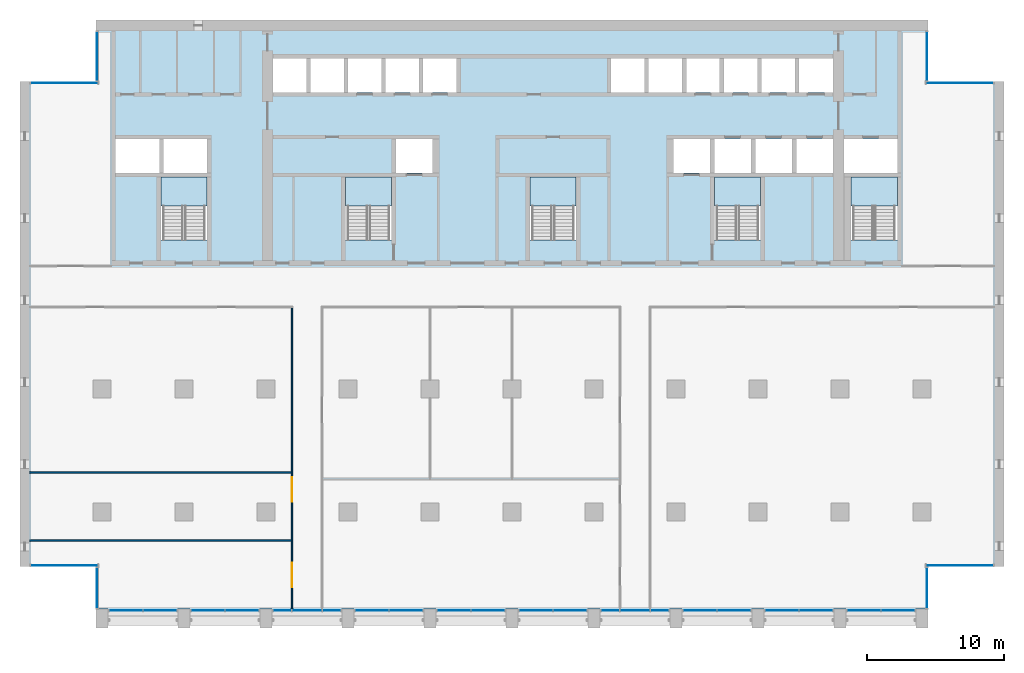
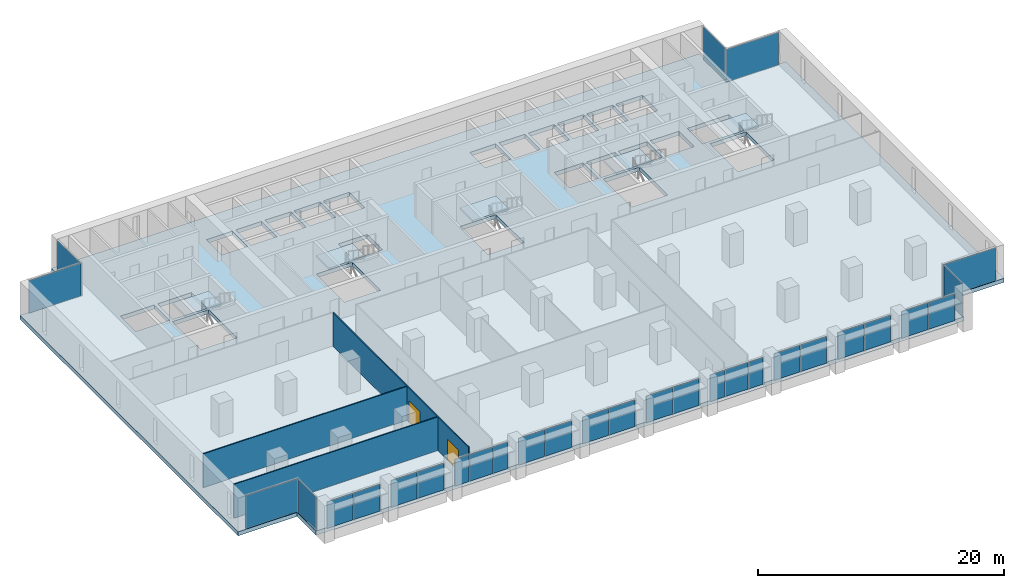
# One storey, part 7 of 15: 30 plates, 6 slabs, 3 walls, 2 doors, 2 openings, 23 elements without a shape of their own.
"""IFC4 building model written with IfcOpenShell, lengths in metres."""

from ifc_helpers import new_model, si_unit, direction, frame, frame_2d, origin, origin_2d, place, context, subcontext, project, spatial, polyline, rectangle, outline, extrude, material, layer, layer_set, type_object, element, fill, aggregate, save


model = new_model("IFC4")

# Units and contexts
model_context = context("Model", 3, precision=1e-05, world=origin(), true_north=direction((0.0, 1.0)))
body_context = subcontext(model_context, "Body", "Model", "MODEL_VIEW")
ifc_project = project(units=[si_unit("LENGTHUNIT", "METRE"), si_unit("AREAUNIT", "SQUARE_METRE"), si_unit("VOLUMEUNIT", "CUBIC_METRE"), si_unit("PLANEANGLEUNIT", "RADIAN"), si_unit("MASSUNIT", "GRAM", prefix="KILO")], contexts=[model_context])

# Site, building, storey
site_placement = place(None, origin())
site = spatial("IfcSite", under=ifc_project, at=site_placement, CompositionType="ELEMENT")
building_placement = place(site_placement, origin())
building = spatial("IfcBuilding", under=site, at=building_placement, Name="Calvaro Tower", CompositionType="ELEMENT")
storey_placement = place(building_placement, frame((0.0, 0.0, 125.0)))
storey = spatial("IfcBuildingStorey", under=building, at=storey_placement, Name="L31", CompositionType="ELEMENT", Elevation=125.0)

# Slab
ifc_material_1 = material(Name="Concrete C40/50", Category="concrete")
ifc_layer_1 = layer(ifc_material_1, 0.39990234375)
ifc_layer_set_1 = layer_set([ifc_layer_1], Name="Concrete C40/50")
slab_type_1 = type_object("IfcSlabType", Name="Floor slab 400 C40/50", PredefinedType="FLOOR", material=ifc_layer_set_1)
slab_1_placement = place(storey_placement, frame((0.0, 0.0, -0.39990234375)))
element("IfcSlab", 1, at=slab_1_placement, inside=storey, type_object=slab_type_1, Name="Floor slab", PredefinedType="FLOOR", context=body_context, shape_type="SweptSolid", body=[
    extrude(outline(polyline([(66.449951171875, 6.0), (66.449951171875, 2.89990234375), (5.550048828125, 2.89990234375), (5.550048828125, 6.0), (0.0, 6.0), (0.0, 41.5), (5.550048828125, 41.5), (5.550048828125, 46.0), (66.449951171875, 46.0), (66.449951171875, 41.5), (72.0, 41.5), (72.0, 6.0), (66.449951171875, 6.0)]), holes=[polyline([(10.300048828125, 29.909912109375), (10.300048828125, 34.5), (12.0, 34.5), (13.699951171875, 34.5), (13.699951171875, 29.909912109375), (12.0, 29.909912109375), (10.300048828125, 29.909912109375)]), polyline([(23.800048828125, 29.909912109375), (23.800048828125, 34.5), (25.5, 34.5), (27.199951171875, 34.5), (27.199951171875, 29.909912109375), (25.5, 29.909912109375), (23.800048828125, 29.909912109375)]), polyline([(37.300048828125, 29.909912109375), (37.300048828125, 34.5), (39.0, 34.5), (40.699951171875, 34.5), (40.699951171875, 29.909912109375), (39.0, 29.909912109375), (37.300048828125, 29.909912109375)]), polyline([(50.800048828125, 29.909912109375), (50.800048828125, 34.5), (52.5, 34.5), (54.199951171875, 34.5), (54.199951171875, 29.909912109375), (52.5, 29.909912109375), (50.800048828125, 29.909912109375)]), polyline([(60.800048828125, 29.909912109375), (60.800048828125, 34.5), (62.5, 34.5), (64.199951171875, 34.5), (64.199951171875, 29.909912109375), (62.5, 29.909912109375), (60.800048828125, 29.909912109375)]), polyline([(50.800048828125, 34.800048828125), (53.5, 34.800048828125), (53.5, 37.300048828125), (50.800048828125, 37.300048828125), (50.800048828125, 34.800048828125)]), polyline([(53.800048828125, 34.800048828125), (56.5, 34.800048828125), (56.5, 37.300048828125), (53.800048828125, 37.300048828125), (53.800048828125, 34.800048828125)]), polyline([(56.800048828125, 34.800048828125), (59.5, 34.800048828125), (59.5, 37.300048828125), (56.800048828125, 37.300048828125), (56.800048828125, 34.800048828125)]), polyline([(18.5, 40.699951171875), (20.949951171875, 40.699951171875), (20.949951171875, 43.199951171875), (18.5, 43.199951171875), (18.5, 40.699951171875)]), polyline([(21.25, 40.699951171875), (23.699951171875, 40.699951171875), (23.699951171875, 43.199951171875), (21.25, 43.199951171875), (21.25, 40.699951171875)]), polyline([(24.0, 40.699951171875), (26.449951171875, 40.699951171875), (26.449951171875, 43.199951171875), (24.0, 43.199951171875), (24.0, 40.699951171875)]), polyline([(26.75, 40.699951171875), (29.199951171875, 40.699951171875), (29.199951171875, 43.199951171875), (26.75, 43.199951171875), (26.75, 40.699951171875)]), polyline([(29.5, 40.699951171875), (31.949951171875, 40.699951171875), (31.949951171875, 43.199951171875), (29.5, 43.199951171875), (29.5, 40.699951171875)]), polyline([(43.25, 40.699951171875), (45.699951171875, 40.699951171875), (45.699951171875, 43.199951171875), (43.25, 43.199951171875), (43.25, 40.699951171875)]), polyline([(46.0, 40.699951171875), (48.449951171875, 40.699951171875), (48.449951171875, 43.199951171875), (46.0, 43.199951171875), (46.0, 40.699951171875)]), polyline([(48.75, 40.699951171875), (51.199951171875, 40.699951171875), (51.199951171875, 43.199951171875), (48.75, 43.199951171875), (48.75, 40.699951171875)]), polyline([(51.5, 40.699951171875), (53.949951171875, 40.699951171875), (53.949951171875, 43.199951171875), (51.5, 43.199951171875), (51.5, 40.699951171875)]), polyline([(54.25, 40.699951171875), (56.699951171875, 40.699951171875), (56.699951171875, 43.199951171875), (54.25, 43.199951171875), (54.25, 40.699951171875)]), polyline([(57.0, 40.699951171875), (59.5, 40.699951171875), (59.5, 43.199951171875), (57.0, 43.199951171875), (57.0, 40.699951171875)]), polyline([(7.0, 34.800048828125), (10.199951171875, 34.800048828125), (10.199951171875, 37.300048828125), (7.0, 37.300048828125), (7.0, 34.800048828125)]), polyline([(10.5, 34.800048828125), (13.699951171875, 34.800048828125), (13.699951171875, 37.300048828125), (10.5, 37.300048828125), (10.5, 34.800048828125)]), polyline([(60.300048828125, 34.800048828125), (64.199951171875, 34.800048828125), (64.199951171875, 37.300048828125), (60.300048828125, 37.300048828125), (60.300048828125, 34.800048828125)]), polyline([(27.5, 34.800048828125), (30.199951171875, 34.800048828125), (30.199951171875, 37.300048828125), (27.5, 37.300048828125), (27.5, 34.800048828125)]), polyline([(47.800048828125, 34.800048828125), (50.5, 34.800048828125), (50.5, 37.300048828125), (47.800048828125, 37.300048828125), (47.800048828125, 34.800048828125)])]), origin(), (0.0, 0.0, 1.0), 0.39990234375),
])

# Curtain wall, plates
ifc_material_2 = material(Name="Anodised aluminium", Category="aluminium")
curtain_wall_type = type_object("IfcCurtainWallType", Name="Office curtain wall, middle zone", PredefinedType="NOTDEFINED", material=ifc_material_2)
curtain_wall_1_placement = place(storey_placement, origin())
curtain_wall_1 = element("IfcCurtainWall", 2, at=curtain_wall_1_placement, inside=storey, type_object=curtain_wall_type, Name="CW2 south curtain wall", PredefinedType="NOTDEFINED")
ifc_material_3 = material(Name="Glass", Category="glass")
ifc_layer_2 = layer(ifc_material_3, 0.031982421875)
ifc_layer_set_2 = layer_set([ifc_layer_2], Name="Glass")
plate_type = type_object("IfcPlateType", Name="Glass panel S2 32", PredefinedType="CURTAIN_PANEL", material=ifc_layer_set_2)
plate_1_placement = place(storey_placement, frame((7.742431640625, 2.800048828125, 0.0), z_axis=(0.0, 0.0, 1.0), x_axis=(1.0, 0.0, 0.0)))
plate_1 = element("IfcPlate", 3, at=plate_1_placement, type_object=plate_type, Name="CW2 glass panel 1.1", PredefinedType="CURTAIN_PANEL", context=body_context, shape_type="SweptSolid", body=[
    extrude(rectangle(XDim=2.445068359375, YDim=0.031982421875, at=origin_2d()), origin(), (0.0, 0.0, 1.0), 2.64990234375),
])
plate_2_placement = place(storey_placement, frame((10.257568359375, 2.800048828125, 0.0), z_axis=(0.0, 0.0, 1.0), x_axis=(1.0, 0.0, 0.0)))
plate_2 = element("IfcPlate", 4, at=plate_2_placement, type_object=plate_type, Name="CW2 glass panel 2.1", PredefinedType="CURTAIN_PANEL", context=body_context, shape_type="SweptSolid", body=[
    extrude(rectangle(XDim=2.445068359375, YDim=0.031982421875, at=origin_2d()), origin(), (0.0, 0.0, 1.0), 2.64990234375),
])
aggregate(curtain_wall_1, [plate_1, plate_2])

curtain_wall_2_placement = place(storey_placement, origin())
curtain_wall_2 = element("IfcCurtainWall", 5, at=curtain_wall_2_placement, inside=storey, type_object=curtain_wall_type, Name="CW2 south curtain wall", PredefinedType="NOTDEFINED")
plate_3_placement = place(storey_placement, frame((13.742431640625, 2.800048828125, 0.0), z_axis=(0.0, 0.0, 1.0), x_axis=(1.0, 0.0, 0.0)))
plate_3 = element("IfcPlate", 6, at=plate_3_placement, type_object=plate_type, Name="CW2 glass panel 1.1", PredefinedType="CURTAIN_PANEL", context=body_context, shape_type="SweptSolid", body=[
    extrude(rectangle(XDim=2.445068359375, YDim=0.031982421875, at=origin_2d()), origin(), (0.0, 0.0, 1.0), 2.64990234375),
])
plate_4_placement = place(storey_placement, frame((16.257568359375, 2.800048828125, 0.0), z_axis=(0.0, 0.0, 1.0), x_axis=(1.0, 0.0, 0.0)))
plate_4 = element("IfcPlate", 7, at=plate_4_placement, type_object=plate_type, Name="CW2 glass panel 2.1", PredefinedType="CURTAIN_PANEL", context=body_context, shape_type="SweptSolid", body=[
    extrude(rectangle(XDim=2.445068359375, YDim=0.031982421875, at=origin_2d()), origin(), (0.0, 0.0, 1.0), 2.64990234375),
])
aggregate(curtain_wall_2, [plate_3, plate_4])

curtain_wall_3_placement = place(storey_placement, origin())
curtain_wall_3 = element("IfcCurtainWall", 8, at=curtain_wall_3_placement, inside=storey, type_object=curtain_wall_type, Name="CW2 south curtain wall", PredefinedType="NOTDEFINED")
plate_5_placement = place(storey_placement, frame((19.1923828125, 2.800048828125, 0.0), z_axis=(0.0, 0.0, 1.0), x_axis=(1.0, 0.0, 0.0)))
plate_5 = element("IfcPlate", 9, at=plate_5_placement, type_object=plate_type, Name="CW2 glass panel 1.1", PredefinedType="CURTAIN_PANEL", context=body_context, shape_type="SweptSolid", body=[
    extrude(rectangle(XDim=1.344970703125, YDim=0.031982421875, at=origin_2d()), origin(), (0.0, 0.0, 1.0), 2.64990234375),
])
plate_6_placement = place(storey_placement, frame((21.0, 2.800048828125, 0.0), z_axis=(0.0, 0.0, 1.0), x_axis=(1.0, 0.0, 0.0)))
plate_6 = element("IfcPlate", 10, at=plate_6_placement, type_object=plate_type, Name="CW2 glass panel 2.1", PredefinedType="CURTAIN_PANEL", context=body_context, shape_type="SweptSolid", body=[
    extrude(rectangle(XDim=2.1298828125, YDim=0.031982421875, at=origin_2d()), origin(), (0.0, 0.0, 1.0), 2.64990234375),
])
plate_7_placement = place(storey_placement, frame((22.8076171875, 2.800048828125, 0.0), z_axis=(0.0, 0.0, 1.0), x_axis=(1.0, 0.0, 0.0)))
plate_7 = element("IfcPlate", 11, at=plate_7_placement, type_object=plate_type, Name="CW2 glass panel 3.1", PredefinedType="CURTAIN_PANEL", context=body_context, shape_type="SweptSolid", body=[
    extrude(rectangle(XDim=1.344970703125, YDim=0.031982421875, at=origin_2d()), origin(), (0.0, 0.0, 1.0), 2.64990234375),
])
aggregate(curtain_wall_3, [plate_5, plate_6, plate_7])

curtain_wall_4_placement = place(storey_placement, origin())
curtain_wall_4 = element("IfcCurtainWall", 12, at=curtain_wall_4_placement, inside=storey, type_object=curtain_wall_type, Name="CW2 south curtain wall", PredefinedType="NOTDEFINED")
plate_8_placement = place(storey_placement, frame((25.742431640625, 2.800048828125, 0.0), z_axis=(0.0, 0.0, 1.0), x_axis=(1.0, 0.0, 0.0)))
plate_8 = element("IfcPlate", 13, at=plate_8_placement, type_object=plate_type, Name="CW2 glass panel 1.1", PredefinedType="CURTAIN_PANEL", context=body_context, shape_type="SweptSolid", body=[
    extrude(rectangle(XDim=2.445068359375, YDim=0.031982421875, at=origin_2d()), origin(), (0.0, 0.0, 1.0), 2.64990234375),
])
plate_9_placement = place(storey_placement, frame((28.257568359375, 2.800048828125, 0.0), z_axis=(0.0, 0.0, 1.0), x_axis=(1.0, 0.0, 0.0)))
plate_9 = element("IfcPlate", 14, at=plate_9_placement, type_object=plate_type, Name="CW2 glass panel 2.1", PredefinedType="CURTAIN_PANEL", context=body_context, shape_type="SweptSolid", body=[
    extrude(rectangle(XDim=2.445068359375, YDim=0.031982421875, at=origin_2d()), origin(), (0.0, 0.0, 1.0), 2.64990234375),
])
aggregate(curtain_wall_4, [plate_8, plate_9])

curtain_wall_5_placement = place(storey_placement, origin())
curtain_wall_5 = element("IfcCurtainWall", 15, at=curtain_wall_5_placement, inside=storey, type_object=curtain_wall_type, Name="CW2 south curtain wall", PredefinedType="NOTDEFINED")
plate_10_placement = place(storey_placement, frame((31.742431640625, 2.800048828125, 0.0), z_axis=(0.0, 0.0, 1.0), x_axis=(1.0, 0.0, 0.0)))
plate_10 = element("IfcPlate", 16, at=plate_10_placement, type_object=plate_type, Name="CW2 glass panel 1.1", PredefinedType="CURTAIN_PANEL", context=body_context, shape_type="SweptSolid", body=[
    extrude(rectangle(XDim=2.445068359375, YDim=0.031982421875, at=origin_2d()), origin(), (0.0, 0.0, 1.0), 2.64990234375),
])
plate_11_placement = place(storey_placement, frame((34.257568359375, 2.800048828125, 0.0), z_axis=(0.0, 0.0, 1.0), x_axis=(1.0, 0.0, 0.0)))
plate_11 = element("IfcPlate", 17, at=plate_11_placement, type_object=plate_type, Name="CW2 glass panel 2.1", PredefinedType="CURTAIN_PANEL", context=body_context, shape_type="SweptSolid", body=[
    extrude(rectangle(XDim=2.445068359375, YDim=0.031982421875, at=origin_2d()), origin(), (0.0, 0.0, 1.0), 2.64990234375),
])
aggregate(curtain_wall_5, [plate_10, plate_11])

curtain_wall_6_placement = place(storey_placement, origin())
curtain_wall_6 = element("IfcCurtainWall", 18, at=curtain_wall_6_placement, inside=storey, type_object=curtain_wall_type, Name="CW2 south curtain wall", PredefinedType="NOTDEFINED")
plate_12_placement = place(storey_placement, frame((37.742431640625, 2.800048828125, 0.0), z_axis=(0.0, 0.0, 1.0), x_axis=(1.0, 0.0, 0.0)))
plate_12 = element("IfcPlate", 19, at=plate_12_placement, type_object=plate_type, Name="CW2 glass panel 1.1", PredefinedType="CURTAIN_PANEL", context=body_context, shape_type="SweptSolid", body=[
    extrude(rectangle(XDim=2.445068359375, YDim=0.031982421875, at=origin_2d()), origin(), (0.0, 0.0, 1.0), 2.64990234375),
])
plate_13_placement = place(storey_placement, frame((40.257568359375, 2.800048828125, 0.0), z_axis=(0.0, 0.0, 1.0), x_axis=(1.0, 0.0, 0.0)))
plate_13 = element("IfcPlate", 20, at=plate_13_placement, type_object=plate_type, Name="CW2 glass panel 2.1", PredefinedType="CURTAIN_PANEL", context=body_context, shape_type="SweptSolid", body=[
    extrude(rectangle(XDim=2.445068359375, YDim=0.031982421875, at=origin_2d()), origin(), (0.0, 0.0, 1.0), 2.64990234375),
])
aggregate(curtain_wall_6, [plate_12, plate_13])

curtain_wall_7_placement = place(storey_placement, origin())
curtain_wall_7 = element("IfcCurtainWall", 21, at=curtain_wall_7_placement, inside=storey, type_object=curtain_wall_type, Name="CW2 south curtain wall", PredefinedType="NOTDEFINED")
plate_14_placement = place(storey_placement, frame((43.1923828125, 2.800048828125, 0.0), z_axis=(0.0, 0.0, 1.0), x_axis=(1.0, 0.0, 0.0)))
plate_14 = element("IfcPlate", 22, at=plate_14_placement, type_object=plate_type, Name="CW2 glass panel 1.1", PredefinedType="CURTAIN_PANEL", context=body_context, shape_type="SweptSolid", body=[
    extrude(rectangle(XDim=1.344970703125, YDim=0.031982421875, at=origin_2d()), origin(), (0.0, 0.0, 1.0), 2.64990234375),
])
plate_15_placement = place(storey_placement, frame((45.0, 2.800048828125, 0.0), z_axis=(0.0, 0.0, 1.0), x_axis=(1.0, 0.0, 0.0)))
plate_15 = element("IfcPlate", 23, at=plate_15_placement, type_object=plate_type, Name="CW2 glass panel 2.1", PredefinedType="CURTAIN_PANEL", context=body_context, shape_type="SweptSolid", body=[
    extrude(rectangle(XDim=2.1298828125, YDim=0.031982421875, at=origin_2d()), origin(), (0.0, 0.0, 1.0), 2.64990234375),
])
plate_16_placement = place(storey_placement, frame((46.8076171875, 2.800048828125, 0.0), z_axis=(0.0, 0.0, 1.0), x_axis=(1.0, 0.0, 0.0)))
plate_16 = element("IfcPlate", 24, at=plate_16_placement, type_object=plate_type, Name="CW2 glass panel 3.1", PredefinedType="CURTAIN_PANEL", context=body_context, shape_type="SweptSolid", body=[
    extrude(rectangle(XDim=1.344970703125, YDim=0.031982421875, at=origin_2d()), origin(), (0.0, 0.0, 1.0), 2.64990234375),
])
aggregate(curtain_wall_7, [plate_14, plate_15, plate_16])

curtain_wall_8_placement = place(storey_placement, origin())
curtain_wall_8 = element("IfcCurtainWall", 25, at=curtain_wall_8_placement, inside=storey, type_object=curtain_wall_type, Name="CW2 south curtain wall", PredefinedType="NOTDEFINED")
plate_17_placement = place(storey_placement, frame((49.742431640625, 2.800048828125, 0.0), z_axis=(0.0, 0.0, 1.0), x_axis=(1.0, 0.0, 0.0)))
plate_17 = element("IfcPlate", 26, at=plate_17_placement, type_object=plate_type, Name="CW2 glass panel 1.1", PredefinedType="CURTAIN_PANEL", context=body_context, shape_type="SweptSolid", body=[
    extrude(rectangle(XDim=2.445068359375, YDim=0.031982421875, at=origin_2d()), origin(), (0.0, 0.0, 1.0), 2.64990234375),
])
plate_18_placement = place(storey_placement, frame((52.257568359375, 2.800048828125, 0.0), z_axis=(0.0, 0.0, 1.0), x_axis=(1.0, 0.0, 0.0)))
plate_18 = element("IfcPlate", 27, at=plate_18_placement, type_object=plate_type, Name="CW2 glass panel 2.1", PredefinedType="CURTAIN_PANEL", context=body_context, shape_type="SweptSolid", body=[
    extrude(rectangle(XDim=2.445068359375, YDim=0.031982421875, at=origin_2d()), origin(), (0.0, 0.0, 1.0), 2.64990234375),
])
aggregate(curtain_wall_8, [plate_17, plate_18])

curtain_wall_9_placement = place(storey_placement, origin())
curtain_wall_9 = element("IfcCurtainWall", 28, at=curtain_wall_9_placement, inside=storey, type_object=curtain_wall_type, Name="CW2 south curtain wall", PredefinedType="NOTDEFINED")
plate_19_placement = place(storey_placement, frame((55.742431640625, 2.800048828125, 0.0), z_axis=(0.0, 0.0, 1.0), x_axis=(1.0, 0.0, 0.0)))
plate_19 = element("IfcPlate", 29, at=plate_19_placement, type_object=plate_type, Name="CW2 glass panel 1.1", PredefinedType="CURTAIN_PANEL", context=body_context, shape_type="SweptSolid", body=[
    extrude(rectangle(XDim=2.445068359375, YDim=0.031982421875, at=origin_2d()), origin(), (0.0, 0.0, 1.0), 2.64990234375),
])
plate_20_placement = place(storey_placement, frame((58.257568359375, 2.800048828125, 0.0), z_axis=(0.0, 0.0, 1.0), x_axis=(1.0, 0.0, 0.0)))
plate_20 = element("IfcPlate", 30, at=plate_20_placement, type_object=plate_type, Name="CW2 glass panel 2.1", PredefinedType="CURTAIN_PANEL", context=body_context, shape_type="SweptSolid", body=[
    extrude(rectangle(XDim=2.445068359375, YDim=0.031982421875, at=origin_2d()), origin(), (0.0, 0.0, 1.0), 2.64990234375),
])
aggregate(curtain_wall_9, [plate_19, plate_20])

curtain_wall_10_placement = place(storey_placement, origin())
curtain_wall_10 = element("IfcCurtainWall", 31, at=curtain_wall_10_placement, inside=storey, type_object=curtain_wall_type, Name="CW2 south curtain wall", PredefinedType="NOTDEFINED")
plate_21_placement = place(storey_placement, frame((61.742431640625, 2.800048828125, 0.0), z_axis=(0.0, 0.0, 1.0), x_axis=(1.0, 0.0, 0.0)))
plate_21 = element("IfcPlate", 32, at=plate_21_placement, type_object=plate_type, Name="CW2 glass panel 1.1", PredefinedType="CURTAIN_PANEL", context=body_context, shape_type="SweptSolid", body=[
    extrude(rectangle(XDim=2.445068359375, YDim=0.031982421875, at=origin_2d()), origin(), (0.0, 0.0, 1.0), 2.64990234375),
])
plate_22_placement = place(storey_placement, frame((64.257568359375, 2.800048828125, 0.0), z_axis=(0.0, 0.0, 1.0), x_axis=(1.0, 0.0, 0.0)))
plate_22 = element("IfcPlate", 33, at=plate_22_placement, type_object=plate_type, Name="CW2 glass panel 2.1", PredefinedType="CURTAIN_PANEL", context=body_context, shape_type="SweptSolid", body=[
    extrude(rectangle(XDim=2.445068359375, YDim=0.031982421875, at=origin_2d()), origin(), (0.0, 0.0, 1.0), 2.64990234375),
])
aggregate(curtain_wall_10, [plate_21, plate_22])

# Curtain wall, plate
curtain_wall_11_placement = place(storey_placement, origin())
curtain_wall_11 = element("IfcCurtainWall", 34, at=curtain_wall_11_placement, inside=storey, type_object=curtain_wall_type, Name="CW2 corner curtain wall", PredefinedType="NOTDEFINED")
plate_23_placement = place(storey_placement, frame((5.64990234375, 4.449951171875, 0.0), z_axis=(0.0, 0.0, 1.0), x_axis=(0.0, 1.0, 0.0)))
plate_23 = element("IfcPlate", 35, at=plate_23_placement, type_object=plate_type, Name="CW2 glass panel 1.1", PredefinedType="CURTAIN_PANEL", context=body_context, shape_type="SweptSolid", body=[
    extrude(rectangle(XDim=2.9599609375, YDim=0.031982421875, at=origin_2d()), origin(), (0.0, 0.0, 1.0), 3.25),
])
aggregate(curtain_wall_11, [plate_23])

curtain_wall_12_placement = place(storey_placement, origin())
curtain_wall_12 = element("IfcCurtainWall", 36, at=curtain_wall_12_placement, inside=storey, type_object=curtain_wall_type, Name="CW2 corner curtain wall", PredefinedType="NOTDEFINED")
plate_24_placement = place(storey_placement, frame((3.22509765625, 6.10009765625, 0.0), z_axis=(0.0, 0.0, 1.0), x_axis=(1.0, 0.0, 0.0)))
plate_24 = element("IfcPlate", 37, at=plate_24_placement, type_object=plate_type, Name="CW2 glass panel 1.1", PredefinedType="CURTAIN_PANEL", context=body_context, shape_type="SweptSolid", body=[
    extrude(rectangle(XDim=4.909912109375, YDim=0.031982421875, at=origin_2d()), origin(), (0.0, 0.0, 1.0), 3.25),
])
aggregate(curtain_wall_12, [plate_24])

curtain_wall_13_placement = place(storey_placement, origin())
curtain_wall_13 = element("IfcCurtainWall", 38, at=curtain_wall_13_placement, inside=storey, type_object=curtain_wall_type, Name="CW2 corner curtain wall", PredefinedType="NOTDEFINED")
plate_25_placement = place(storey_placement, frame((5.64990234375, 43.35009765625, 0.0), z_axis=(0.0, 0.0, 1.0), x_axis=(0.0, 1.0, 0.0)))
plate_25 = element("IfcPlate", 39, at=plate_25_placement, type_object=plate_type, Name="CW2 glass panel 1.1", PredefinedType="CURTAIN_PANEL", context=body_context, shape_type="SweptSolid", body=[
    extrude(rectangle(XDim=3.56005859375, YDim=0.031982421875, at=origin_2d()), origin(), (0.0, 0.0, 1.0), 3.25),
])
aggregate(curtain_wall_13, [plate_25])

curtain_wall_14_placement = place(storey_placement, origin())
curtain_wall_14 = element("IfcCurtainWall", 40, at=curtain_wall_14_placement, inside=storey, type_object=curtain_wall_type, Name="CW2 corner curtain wall", PredefinedType="NOTDEFINED")
plate_26_placement = place(storey_placement, frame((3.22509765625, 41.39990234375, 0.0), z_axis=(0.0, 0.0, 1.0), x_axis=(1.0, 0.0, 0.0)))
plate_26 = element("IfcPlate", 41, at=plate_26_placement, type_object=plate_type, Name="CW2 glass panel 1.1", PredefinedType="CURTAIN_PANEL", context=body_context, shape_type="SweptSolid", body=[
    extrude(rectangle(XDim=4.909912109375, YDim=0.031982421875, at=origin_2d()), origin(), (0.0, 0.0, 1.0), 3.25),
])
aggregate(curtain_wall_14, [plate_26])

curtain_wall_15_placement = place(storey_placement, origin())
curtain_wall_15 = element("IfcCurtainWall", 42, at=curtain_wall_15_placement, inside=storey, type_object=curtain_wall_type, Name="CW2 corner curtain wall", PredefinedType="NOTDEFINED")
plate_27_placement = place(storey_placement, frame((66.35009765625, 4.449951171875, 0.0), z_axis=(0.0, 0.0, 1.0), x_axis=(0.0, 1.0, 0.0)))
plate_27 = element("IfcPlate", 43, at=plate_27_placement, type_object=plate_type, Name="CW2 glass panel 1.1", PredefinedType="CURTAIN_PANEL", context=body_context, shape_type="SweptSolid", body=[
    extrude(rectangle(XDim=2.9599609375, YDim=0.031982421875, at=origin_2d()), origin(), (0.0, 0.0, 1.0), 3.25),
])
aggregate(curtain_wall_15, [plate_27])

curtain_wall_16_placement = place(storey_placement, origin())
curtain_wall_16 = element("IfcCurtainWall", 44, at=curtain_wall_16_placement, inside=storey, type_object=curtain_wall_type, Name="CW2 corner curtain wall", PredefinedType="NOTDEFINED")
plate_28_placement = place(storey_placement, frame((68.77490234375, 6.10009765625, 0.0), z_axis=(0.0, 0.0, 1.0), x_axis=(1.0, 0.0, 0.0)))
plate_28 = element("IfcPlate", 45, at=plate_28_placement, type_object=plate_type, Name="CW2 glass panel 1.1", PredefinedType="CURTAIN_PANEL", context=body_context, shape_type="SweptSolid", body=[
    extrude(rectangle(XDim=4.909912109375, YDim=0.031982421875, at=origin_2d()), origin(), (0.0, 0.0, 1.0), 3.25),
])
aggregate(curtain_wall_16, [plate_28])

curtain_wall_17_placement = place(storey_placement, origin())
curtain_wall_17 = element("IfcCurtainWall", 46, at=curtain_wall_17_placement, inside=storey, type_object=curtain_wall_type, Name="CW2 corner curtain wall", PredefinedType="NOTDEFINED")
plate_29_placement = place(storey_placement, frame((66.35009765625, 43.35009765625, 0.0), z_axis=(0.0, 0.0, 1.0), x_axis=(0.0, 1.0, 0.0)))
plate_29 = element("IfcPlate", 47, at=plate_29_placement, type_object=plate_type, Name="CW2 glass panel 1.1", PredefinedType="CURTAIN_PANEL", context=body_context, shape_type="SweptSolid", body=[
    extrude(rectangle(XDim=3.56005859375, YDim=0.031982421875, at=origin_2d()), origin(), (0.0, 0.0, 1.0), 3.25),
])
aggregate(curtain_wall_17, [plate_29])

curtain_wall_18_placement = place(storey_placement, origin())
curtain_wall_18 = element("IfcCurtainWall", 48, at=curtain_wall_18_placement, inside=storey, type_object=curtain_wall_type, Name="CW2 corner curtain wall", PredefinedType="NOTDEFINED")
plate_30_placement = place(storey_placement, frame((68.77490234375, 41.39990234375, 0.0), z_axis=(0.0, 0.0, 1.0), x_axis=(1.0, 0.0, 0.0)))
plate_30 = element("IfcPlate", 49, at=plate_30_placement, type_object=plate_type, Name="CW2 glass panel 1.1", PredefinedType="CURTAIN_PANEL", context=body_context, shape_type="SweptSolid", body=[
    extrude(rectangle(XDim=4.909912109375, YDim=0.031982421875, at=origin_2d()), origin(), (0.0, 0.0, 1.0), 3.25),
])
aggregate(curtain_wall_18, [plate_30])

# Stair, slab
ifc_material_4 = material(Name="Concrete C40/50", Category="concrete")
stair_type = type_object("IfcStairType", Name="Exit stair 1400 2 flights", PredefinedType="HALF_TURN_STAIR", material=ifc_material_4)
stair_1_placement = place(storey_placement, origin())
stair_1 = element("IfcStair", 50, at=stair_1_placement, inside=storey, type_object=stair_type, Name="Exit stair S1", PredefinedType="HALF_TURN_STAIR")
ifc_material_5 = material(Name="Concrete C40/50", Category="concrete")
ifc_layer_3 = layer(ifc_material_5, 0.199951171875)
ifc_layer_set_3 = layer_set([ifc_layer_3], Name="Concrete C40/50")
slab_type_2 = type_object("IfcSlabType", Name="Stair landing", PredefinedType="LANDING", material=ifc_layer_set_3)
slab_2_placement = place(storey_placement, frame((0.0, 0.0, 1.675048828125)))
slab_2 = element("IfcSlab", 51, at=slab_2_placement, type_object=slab_type_2, Name="Exit stair 1, landing 1", PredefinedType="LANDING", context=body_context, shape_type="SweptSolid", body=[
    extrude(outline(polyline([(11.89990234375, 32.389892578125), (10.5, 32.389892578125), (10.5, 32.39990234375), (10.300048828125, 32.39990234375), (10.300048828125, 34.5), (10.5, 34.5), (11.89990234375, 34.5), (12.10009765625, 34.5), (13.5, 34.5), (13.699951171875, 34.5), (13.699951171875, 32.39990234375), (13.5, 32.39990234375), (13.5, 32.389892578125), (12.10009765625, 32.389892578125), (12.10009765625, 32.39990234375), (11.89990234375, 32.39990234375), (11.89990234375, 32.389892578125)])), origin(), (0.0, 0.0, 1.0), 0.199951171875),
])
aggregate(stair_1, [slab_2])

stair_2_placement = place(storey_placement, origin())
stair_2 = element("IfcStair", 52, at=stair_2_placement, inside=storey, type_object=stair_type, Name="Exit stair S2", PredefinedType="HALF_TURN_STAIR")
slab_3_placement = place(storey_placement, frame((0.0, 0.0, 1.675048828125)))
slab_3 = element("IfcSlab", 53, at=slab_3_placement, type_object=slab_type_2, Name="Exit stair 2, landing 1", PredefinedType="LANDING", context=body_context, shape_type="SweptSolid", body=[
    extrude(outline(polyline([(25.39990234375, 32.389892578125), (24.0, 32.389892578125), (24.0, 32.39990234375), (23.800048828125, 32.39990234375), (23.800048828125, 34.5), (24.0, 34.5), (25.39990234375, 34.5), (25.60009765625, 34.5), (27.0, 34.5), (27.199951171875, 34.5), (27.199951171875, 32.39990234375), (27.0, 32.39990234375), (27.0, 32.389892578125), (25.60009765625, 32.389892578125), (25.60009765625, 32.39990234375), (25.39990234375, 32.39990234375), (25.39990234375, 32.389892578125)])), origin(), (0.0, 0.0, 1.0), 0.199951171875),
])
aggregate(stair_2, [slab_3])

stair_3_placement = place(storey_placement, origin())
stair_3 = element("IfcStair", 54, at=stair_3_placement, inside=storey, type_object=stair_type, Name="Exit stair S3", PredefinedType="HALF_TURN_STAIR")
slab_4_placement = place(storey_placement, frame((0.0, 0.0, 1.675048828125)))
slab_4 = element("IfcSlab", 55, at=slab_4_placement, type_object=slab_type_2, Name="Exit stair 3, landing 1", PredefinedType="LANDING", context=body_context, shape_type="SweptSolid", body=[
    extrude(outline(polyline([(38.89990234375, 32.389892578125), (37.5, 32.389892578125), (37.5, 32.39990234375), (37.300048828125, 32.39990234375), (37.300048828125, 34.5), (37.5, 34.5), (38.89990234375, 34.5), (39.10009765625, 34.5), (40.5, 34.5), (40.699951171875, 34.5), (40.699951171875, 32.39990234375), (40.5, 32.39990234375), (40.5, 32.389892578125), (39.10009765625, 32.389892578125), (39.10009765625, 32.39990234375), (38.89990234375, 32.39990234375), (38.89990234375, 32.389892578125)])), origin(), (0.0, 0.0, 1.0), 0.199951171875),
])
aggregate(stair_3, [slab_4])

stair_4_placement = place(storey_placement, origin())
stair_4 = element("IfcStair", 56, at=stair_4_placement, inside=storey, type_object=stair_type, Name="Exit stair S4", PredefinedType="HALF_TURN_STAIR")
slab_5_placement = place(storey_placement, frame((0.0, 0.0, 1.675048828125)))
slab_5 = element("IfcSlab", 57, at=slab_5_placement, type_object=slab_type_2, Name="Exit stair 4, landing 1", PredefinedType="LANDING", context=body_context, shape_type="SweptSolid", body=[
    extrude(outline(polyline([(52.39990234375, 32.389892578125), (51.0, 32.389892578125), (51.0, 32.39990234375), (50.800048828125, 32.39990234375), (50.800048828125, 34.5), (51.0, 34.5), (52.39990234375, 34.5), (52.60009765625, 34.5), (54.0, 34.5), (54.199951171875, 34.5), (54.199951171875, 32.39990234375), (54.0, 32.39990234375), (54.0, 32.389892578125), (52.60009765625, 32.389892578125), (52.60009765625, 32.39990234375), (52.39990234375, 32.39990234375), (52.39990234375, 32.389892578125)])), origin(), (0.0, 0.0, 1.0), 0.199951171875),
])
aggregate(stair_4, [slab_5])

stair_5_placement = place(storey_placement, origin())
stair_5 = element("IfcStair", 58, at=stair_5_placement, inside=storey, type_object=stair_type, Name="Exit stair S5", PredefinedType="HALF_TURN_STAIR")
slab_6_placement = place(storey_placement, frame((0.0, 0.0, 1.675048828125)))
slab_6 = element("IfcSlab", 59, at=slab_6_placement, type_object=slab_type_2, Name="Exit stair 5, landing 1", PredefinedType="LANDING", context=body_context, shape_type="SweptSolid", body=[
    extrude(outline(polyline([(62.39990234375, 32.389892578125), (61.0, 32.389892578125), (61.0, 32.39990234375), (60.800048828125, 32.39990234375), (60.800048828125, 34.5), (61.0, 34.5), (62.39990234375, 34.5), (62.60009765625, 34.5), (64.0, 34.5), (64.199951171875, 34.5), (64.199951171875, 32.39990234375), (64.0, 32.39990234375), (64.0, 32.389892578125), (62.60009765625, 32.389892578125), (62.60009765625, 32.39990234375), (62.39990234375, 32.39990234375), (62.39990234375, 32.389892578125)])), origin(), (0.0, 0.0, 1.0), 0.199951171875),
])
aggregate(stair_5, [slab_6])

# Walls
ifc_material_6 = material(Name="Plasterboard on steel studs", Category="steel")
ifc_layer_4 = layer(ifc_material_6, 0.10009765625)
ifc_layer_set_4 = layer_set([ifc_layer_4], Name="Plasterboard on steel studs")
wall_type = type_object("IfcWallType", Name="Partition 100", PredefinedType="PARTITIONING", material=ifc_layer_set_4)
for number, where, z_axis, x_axis, name in (
    (60, (0.699951171875, 7.89990234375, 0.0), (0.0, 0.0, 1.0), (1.0, 0.0, 0.0), "Partition T19.W001"),
    (61, (0.699951171875, 12.89990234375, 0.0), (0.0, 0.0, 1.0), (1.0, 0.0, 0.0), "Partition T19.W003"),
):
    element("IfcWall", number, at=place(storey_placement, frame(where, z_axis=z_axis, x_axis=x_axis)), inside=storey, type_object=wall_type, Name=name, PredefinedType="PARTITIONING", context=body_context, shape_type="SweptSolid", body=[
        extrude(rectangle(XDim=19.150146484375, YDim=0.10009765625, at=frame_2d((9.5751953125, 0.0))), origin(), (0.0, 0.0, 1.0), 3.35009765625),
    ])

# Wall, openings, doors
wall_placement = place(storey_placement, frame((19.89990234375, 2.89990234375, 0.0), z_axis=(0.0, 0.0, 1.0), x_axis=(0.0, 1.0, 0.0)))
wall = element("IfcWall", 62, at=wall_placement, inside=storey, type_object=wall_type, Name="Partition T19.W009", PredefinedType="PARTITIONING", context=body_context, shape_type="SweptSolid", body=[
    extrude(rectangle(XDim=22.050048828125, YDim=0.10009765625, at=frame_2d((11.02490234375, 0.0))), origin(), (0.0, 0.0, 1.0), 3.35009765625),
])
opening_1_placement = place(wall_placement, frame((1.60009765625, 0.0, 0.0)))
opening_1 = element("IfcOpeningElement", 63, at=opening_1_placement, cuts=wall, Name="Opening T19.001", PredefinedType="OPENING", context=body_context, shape_type="SweptSolid", body=[
    extrude(rectangle(XDim=1.800048828125, YDim=2.10009765625, at=frame_2d((0.89990234375, 1.050048828125))), frame((0.0, 0.06005859375, 0.0), z_axis=(0.0, -1.0, 0.0), x_axis=(1.0, 0.0, 0.0)), (0.0, 0.0, 1.0), 0.1201171875),
])
opening_2_placement = place(wall_placement, frame((7.85009765625, 0.0, 0.0)))
opening_2 = element("IfcOpeningElement", 64, at=opening_2_placement, cuts=wall, Name="Opening T19.004", PredefinedType="OPENING", context=body_context, shape_type="SweptSolid", body=[
    extrude(rectangle(XDim=1.800048828125, YDim=2.10009765625, at=frame_2d((0.89990234375, 1.050048828125))), frame((0.0, 0.06005859375, 0.0), z_axis=(0.0, -1.0, 0.0), x_axis=(1.0, 0.0, 0.0)), (0.0, 0.0, 1.0), 0.1201171875),
])
ifc_material_7 = material(Name="Timber", Category="wood")
door_type = type_object("IfcDoorType", Name="Internal double door 1800 x 2100", OperationType="DOUBLE_DOOR_SINGLE_SWING", PredefinedType="DOOR", material=ifc_material_7)
door_1_placement = place(opening_1_placement, origin())
door_1 = element("IfcDoor", 65, at=door_1_placement, inside=storey, type_object=door_type, Name="Door T19.001", OperationType="DOUBLE_DOOR_SINGLE_SWING", OverallHeight=2.10009765625, OverallWidth=1.800048828125, PredefinedType="DOOR", context=body_context, shape_type="SweptSolid", body=[
    extrude(rectangle(XDim=1.800048828125, YDim=2.10009765625, at=frame_2d((0.89990234375, 1.050048828125))), frame((0.0, 0.02490234375, 0.0), z_axis=(0.0, -1.0, 0.0), x_axis=(1.0, 0.0, 0.0)), (0.0, 0.0, 1.0), 0.050048828125),
])
fill(opening_1, door_1)
door_2_placement = place(opening_2_placement, origin())
door_2 = element("IfcDoor", 66, at=door_2_placement, inside=storey, type_object=door_type, Name="Door T19.004", OperationType="DOUBLE_DOOR_SINGLE_SWING", OverallHeight=2.10009765625, OverallWidth=1.800048828125, PredefinedType="DOOR", context=body_context, shape_type="SweptSolid", body=[
    extrude(rectangle(XDim=1.800048828125, YDim=2.10009765625, at=frame_2d((0.89990234375, 1.050048828125))), frame((0.0, 0.02490234375, 0.0), z_axis=(0.0, -1.0, 0.0), x_axis=(1.0, 0.0, 0.0)), (0.0, 0.0, 1.0), 0.050048828125),
])
fill(opening_2, door_2)

save(model, "model.ifc")
